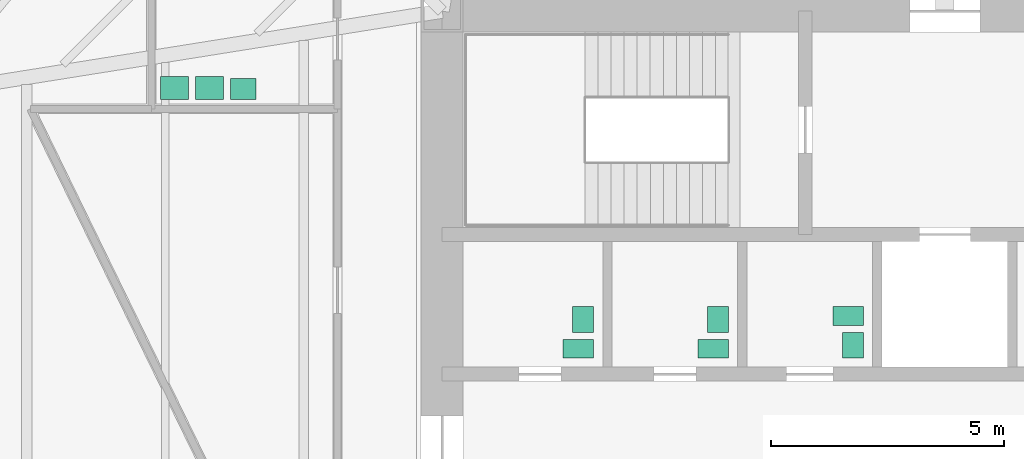
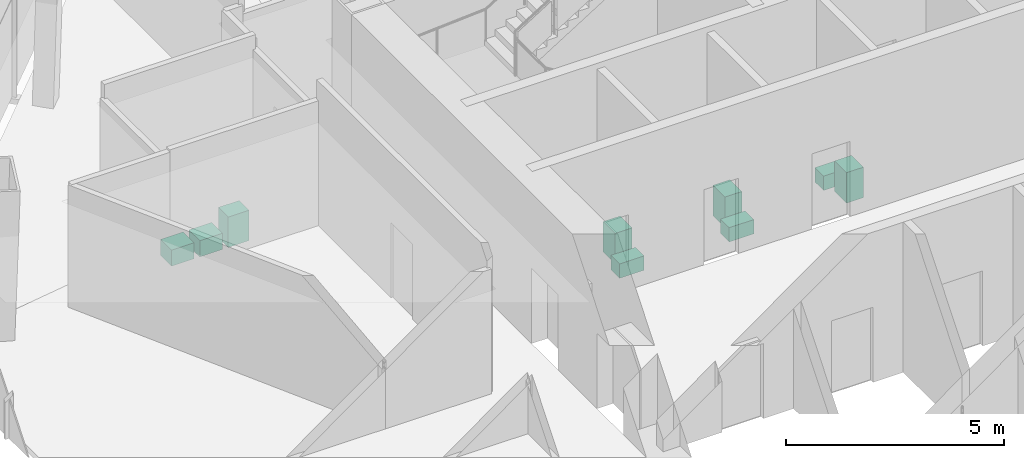
# One storey, part 15 of 15: 9 sanitary terminals.
"""IFC4 building model written with IfcOpenShell, lengths in metres."""

from ifc_helpers import new_model, si_unit, direction, frame, origin, origin_2d, place, context, subcontext, project, spatial, rectangle, extrude, material, type_object, element, save


model = new_model("IFC4")

# Units and contexts
model_context = context("Model", 3, precision=1e-05, world=origin(), true_north=direction((0.0, 1.0)))
body_context = subcontext(model_context, "Body", "Model", "MODEL_VIEW")
ifc_project = project(units=[si_unit("LENGTHUNIT", "METRE"), si_unit("AREAUNIT", "SQUARE_METRE"), si_unit("VOLUMEUNIT", "CUBIC_METRE"), si_unit("PLANEANGLEUNIT", "RADIAN"), si_unit("MASSUNIT", "GRAM", prefix="KILO")], contexts=[model_context])

# Site, building, storey
site_placement = place(None, origin())
site = spatial("IfcSite", under=ifc_project, at=site_placement, CompositionType="ELEMENT")
building_placement = place(site_placement, origin())
building = spatial("IfcBuilding", under=site, at=building_placement, Name="Mashrafa Tower", CompositionType="ELEMENT")
storey_placement = place(building_placement, frame((0.0, 0.0, 159.60009765625)))
storey = spatial("IfcBuildingStorey", under=building, at=storey_placement, Name="L36", CompositionType="ELEMENT", Elevation=159.60009765625)

# Sanitary terminals
ifc_material_1 = material(Name="Stainless steel", Category="steel")
sanitary_terminal_type_1 = type_object("IfcSanitaryTerminalType", Name="Ablution wash station 600 x 500", PredefinedType="WASHHANDBASIN", material=ifc_material_1)
for number, where, z_axis, x_axis, name in (
    (1, (-16.550048828125, 9.14990234375, 0.0), (0.0, 0.0, 1.0), (1.0, 0.0, 0.0), "Ablution wash station Ablution Room L36"),
    (2, (-15.800048828125, 9.14990234375, 0.0), (0.0, 0.0, 1.0), (1.0, 0.0, 0.0), "Ablution wash station Ablution Room L36"),
):
    element("IfcSanitaryTerminal", number, at=place(storey_placement, frame(where, z_axis=z_axis, x_axis=x_axis)), inside=storey, type_object=sanitary_terminal_type_1, Name=name, PredefinedType="WASHHANDBASIN", context=body_context, shape_type="SweptSolid", body=[
        extrude(rectangle(XDim=0.60009765625, YDim=0.5, at=origin_2d()), origin(), (0.0, 0.0, 1.0), 0.449951171875),
    ])
ifc_material_2 = material(Name="Vitreous china")
sanitary_terminal_type_2 = type_object("IfcSanitaryTerminalType", Name="Toilet pan 400 x 650", PredefinedType="TOILETPAN", material=ifc_material_2)
for number, where, z_axis, x_axis, name in (
    (3, (-7.875, 3.550048828125, 0.0), (0.0, 0.0, 1.0), (0.0, 1.0, 0.0), "Toilet pan WC Male L36"),
    (4, (-4.97509765625, 3.550048828125, 0.0), (0.0, 0.0, 1.0), (0.0, 1.0, 0.0), "Toilet pan WC Female L36"),
    (5, (-2.074951171875, 4.25, 0.0), (0.0, 0.0, 1.0), (0.0, 1.0, 0.0), "Toilet pan Accessible WC L36"),
):
    element("IfcSanitaryTerminal", number, at=place(storey_placement, frame(where, z_axis=z_axis, x_axis=x_axis)), inside=storey, type_object=sanitary_terminal_type_2, Name=name, PredefinedType="TOILETPAN", context=body_context, shape_type="SweptSolid", body=[
        extrude(rectangle(XDim=0.39990234375, YDim=0.64990234375, at=origin_2d()), origin(), (0.0, 0.0, 1.0), 0.39990234375),
    ])
ifc_material_3 = material(Name="Vitreous china")
sanitary_terminal_type_3 = type_object("IfcSanitaryTerminalType", Name="Wash basin 550 x 450", PredefinedType="WASHHANDBASIN", material=ifc_material_3)
for number, where, z_axis, x_axis, name in (
    (6, (-7.77490234375, 4.175048828125, -0.000244140625), (0.0, 0.0, 1.0), (0.0, 1.0, 0.0), "Wash basin WC Male L36"),
    (7, (-4.875, 4.175048828125, -0.000244140625), (0.0, 0.0, 1.0), (0.0, 1.0, 0.0), "Wash basin WC Female L36"),
    (8, (-1.97509765625, 3.625, -0.000244140625), (0.0, 0.0, 1.0), (0.0, 1.0, 0.0), "Wash basin Accessible WC L36"),
    (9, (-15.074951171875, 9.125, -0.000244140625), (0.0, 0.0, 1.0), (1.0, 0.0, 0.0), "Wash basin Ablution Room L36"),
):
    element("IfcSanitaryTerminal", number, at=place(storey_placement, frame(where, z_axis=z_axis, x_axis=x_axis)), inside=storey, type_object=sanitary_terminal_type_3, Name=name, PredefinedType="WASHHANDBASIN", context=body_context, shape_type="SweptSolid", body=[
        extrude(rectangle(XDim=0.550048828125, YDim=0.449951171875, at=origin_2d()), origin(), (0.0, 0.0, 1.0), 0.85009765625),
    ])

save(model, "model.ifc")
